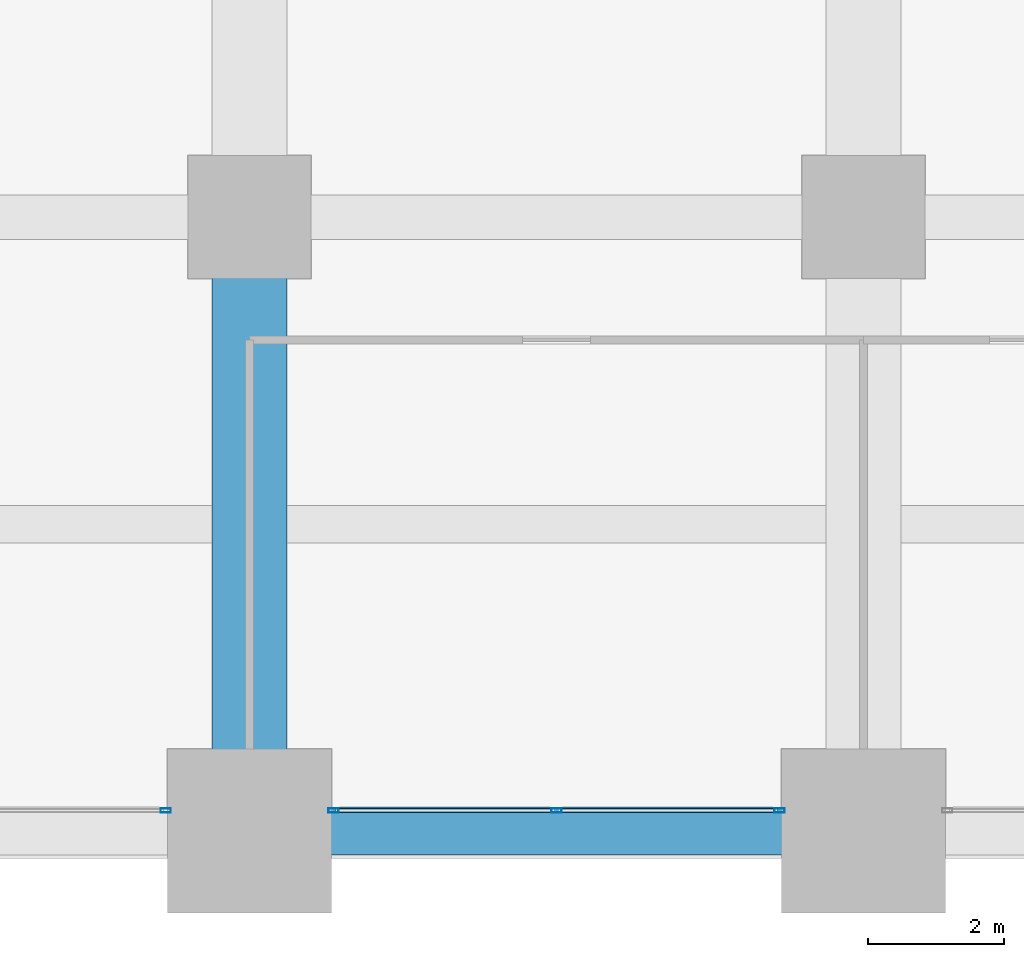
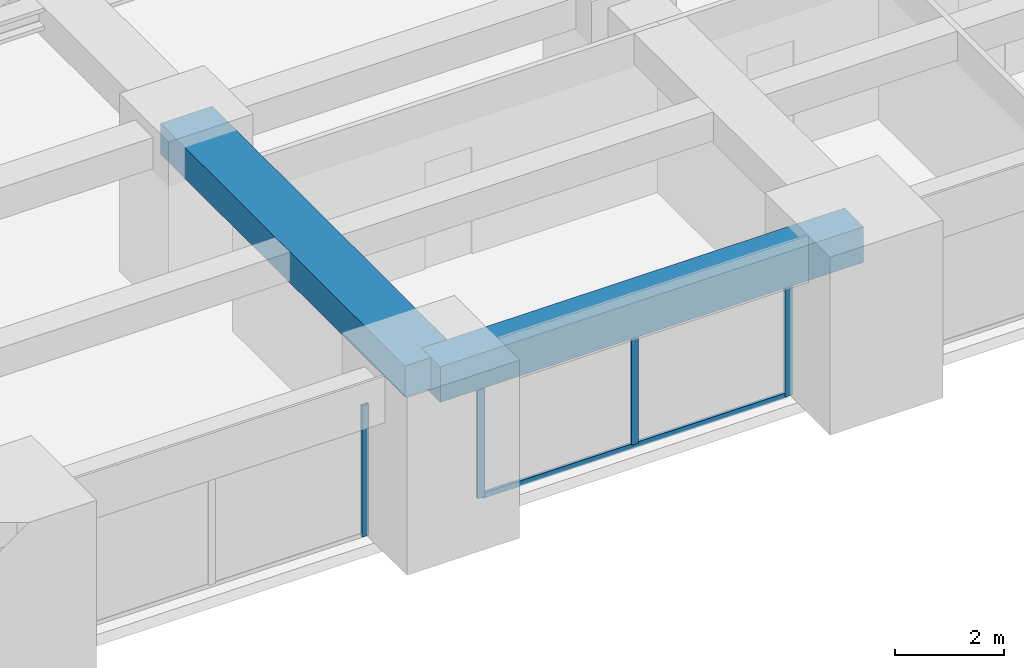
# One storey, part 13 of 41: 5 members, 2 beams, 2 elements without a shape of their own.
"""IFC4 building model written with IfcOpenShell, lengths in metres."""

from ifc_helpers import new_model, si_unit, direction, frame, origin, origin_2d, place, context, subcontext, project, spatial, rectangle, hollow_rectangle, extrude, material, material_profile, profile_set, type_object, element, aggregate, save


model = new_model("IFC4")

# Units and contexts
model_context = context("Model", 3, precision=1e-05, world=origin(), true_north=direction((0.0, 1.0)))
body_context = subcontext(model_context, "Body", "Model", "MODEL_VIEW")
ifc_project = project(units=[si_unit("LENGTHUNIT", "METRE"), si_unit("AREAUNIT", "SQUARE_METRE"), si_unit("VOLUMEUNIT", "CUBIC_METRE"), si_unit("PLANEANGLEUNIT", "RADIAN"), si_unit("MASSUNIT", "GRAM", prefix="KILO")], contexts=[model_context])

# Site, building, storey
site_placement = place(None, origin())
site = spatial("IfcSite", under=ifc_project, at=site_placement, CompositionType="ELEMENT")
building_placement = place(site_placement, origin())
building = spatial("IfcBuilding", under=site, at=building_placement, Name="Zorevar Civic Tower", CompositionType="ELEMENT")
storey_placement = place(building_placement, frame((0.0, 0.0, 137.0)))
storey = spatial("IfcBuildingStorey", under=building, at=storey_placement, Name="L33", CompositionType="ELEMENT", Elevation=137.0)

# Beam
ifc_material_1 = material(Name="Concrete C50/60", Category="concrete")
ifc_material_profile_1 = material_profile(ifc_material_1, rectangle(XDim=1.10009765625, YDim=0.699951171875, at=origin_2d()), Name="RC 1100x700")
ifc_profile_set_1 = profile_set([ifc_material_profile_1], Name="Concrete C50/60")
beam_type_1 = type_object("IfcBeamType", Name="Beam RC 1100x700", PredefinedType="BEAM", material=ifc_profile_set_1)
beam_1_placement = place(storey_placement, frame((36.0, 0.0, 3.39990234375), z_axis=(0.0, 1.0, 0.0), x_axis=(-1.0, 0.0, 0.0)))
element("IfcBeam", 1, at=beam_1_placement, inside=storey, type_object=beam_type_1, Name="Girder L34", PredefinedType="BEAM", context=body_context, shape_type="SweptSolid", body=[
    extrude(rectangle(XDim=1.10009765625, YDim=0.699951171875, at=origin_2d()), origin(), (0.0, 0.0, 1.0), 9.0),
])

# Curtain wall, member
ifc_material_2 = material(Name="Dark grey solar-control glass in black aluminium frame", Category="aluminium")
curtain_wall_type = type_object("IfcCurtainWallType", Name="Curtain wall CW3 mid zone", PredefinedType="NOTDEFINED", material=ifc_material_2)
curtain_wall_1_placement = place(storey_placement, origin())
curtain_wall_1 = element("IfcCurtainWall", 2, at=curtain_wall_1_placement, inside=storey, type_object=curtain_wall_type, Name="CW3 L33", PredefinedType="NOTDEFINED")
ifc_material_3 = material(Name="Aluminium, black anodised", Category="aluminium")
ifc_material_profile_2 = material_profile(ifc_material_3, hollow_rectangle(XDim=0.06005859375, YDim=0.14990234375, WallThickness=0.00390625, at=origin_2d()), Name="AL 150x60x4")
ifc_profile_set_2 = profile_set([ifc_material_profile_2], Name="Aluminium, black anodised")
member_type_1 = type_object("IfcMemberType", Name="CW3 mullion AL 150x60x4", PredefinedType="MULLION", material=ifc_profile_set_2)
member_1_placement = place(storey_placement, frame((34.77001953125, 0.300048828125, 0.0), z_axis=(0.0, 0.0, 1.0), x_axis=(0.0, 1.0, 0.0)))
member_1 = element("IfcMember", 3, at=member_1_placement, type_object=member_type_1, Name="CW3 mullion 3", PredefinedType="MULLION", context=body_context, shape_type="SweptSolid", body=[
    extrude(hollow_rectangle(XDim=0.06005859375, YDim=0.14990234375, WallThickness=0.00390625, at=origin_2d()), origin(), (0.0, 0.0, 1.0), 2.949951171875),
])
aggregate(curtain_wall_1, [member_1])

# Curtain wall, members
curtain_wall_2_placement = place(storey_placement, origin())
curtain_wall_2 = element("IfcCurtainWall", 4, at=curtain_wall_2_placement, inside=storey, type_object=curtain_wall_type, Name="CW3 L33", PredefinedType="NOTDEFINED")
member_2_placement = place(storey_placement, frame((37.22998046875, 0.300048828125, 0.0), z_axis=(0.0, 0.0, 1.0), x_axis=(0.0, 1.0, 0.0)))
member_2 = element("IfcMember", 5, at=member_2_placement, type_object=member_type_1, Name="CW3 mullion 1", PredefinedType="MULLION", context=body_context, shape_type="SweptSolid", body=[
    extrude(hollow_rectangle(XDim=0.06005859375, YDim=0.14990234375, WallThickness=0.00390625, at=origin_2d()), origin(), (0.0, 0.0, 1.0), 2.949951171875),
])
member_3_placement = place(storey_placement, frame((40.5, 0.300048828125, 0.06005859375), z_axis=(0.0, 0.0, 1.0), x_axis=(0.0, 1.0, 0.0)))
member_3 = element("IfcMember", 6, at=member_3_placement, type_object=member_type_1, Name="CW3 mullion 2", PredefinedType="MULLION", context=body_context, shape_type="SweptSolid", body=[
    extrude(hollow_rectangle(XDim=0.06005859375, YDim=0.14990234375, WallThickness=0.00390625, at=origin_2d()), origin(), (0.0, 0.0, 1.0), 2.889892578125),
])
member_4_placement = place(storey_placement, frame((43.77001953125, 0.300048828125, 0.0), z_axis=(0.0, 0.0, 1.0), x_axis=(0.0, 1.0, 0.0)))
member_4 = element("IfcMember", 7, at=member_4_placement, type_object=member_type_1, Name="CW3 mullion 3", PredefinedType="MULLION", context=body_context, shape_type="SweptSolid", body=[
    extrude(hollow_rectangle(XDim=0.06005859375, YDim=0.14990234375, WallThickness=0.00390625, at=origin_2d()), origin(), (0.0, 0.0, 1.0), 2.949951171875),
])
ifc_material_4 = material(Name="Aluminium, black anodised", Category="aluminium")
ifc_material_profile_3 = material_profile(ifc_material_4, hollow_rectangle(XDim=0.06005859375, YDim=0.1201171875, WallThickness=0.0029296875, at=origin_2d()), Name="AL 120x60x3")
ifc_profile_set_3 = profile_set([ifc_material_profile_3], Name="Aluminium, black anodised")
member_type_2 = type_object("IfcMemberType", Name="CW3 transom AL 120x60x3", PredefinedType="USERDEFINED", material=ifc_profile_set_3)
member_5_placement = place(storey_placement, frame((37.260009765625, 0.300048828125, 0.030029296875), z_axis=(1.0, 0.0, 0.0), x_axis=(0.0, 1.0, 0.0)))
member_5 = element("IfcMember", 8, at=member_5_placement, type_object=member_type_2, Name="CW3 sill transom", ObjectType="TRANSOM", PredefinedType="USERDEFINED", context=body_context, shape_type="SweptSolid", body=[
    extrude(hollow_rectangle(XDim=0.06005859375, YDim=0.1201171875, WallThickness=0.0029296875, at=origin_2d()), origin(), (0.0, 0.0, 1.0), 6.47998046875),
])
aggregate(curtain_wall_2, [member_2, member_3, member_4, member_5])

# Beam
ifc_material_5 = material(Name="Concrete C50/60", Category="concrete")
ifc_material_profile_4 = material_profile(ifc_material_5, rectangle(XDim=0.699951171875, YDim=0.800048828125, at=origin_2d()), Name="RC 700x800")
ifc_profile_set_4 = profile_set([ifc_material_profile_4], Name="Concrete C50/60")
beam_type_2 = type_object("IfcBeamType", Name="Edge beam RC 700x800", PredefinedType="SPANDREL", material=ifc_profile_set_4)
beam_2_placement = place(storey_placement, frame((36.0, 0.0, 3.35009765625), z_axis=(1.0, 0.0, 0.0), x_axis=(0.0, 1.0, 0.0)))
element("IfcBeam", 9, at=beam_2_placement, inside=storey, type_object=beam_type_2, Name="Edge beam L34", PredefinedType="SPANDREL", context=body_context, shape_type="SweptSolid", body=[
    extrude(rectangle(XDim=0.699951171875, YDim=0.800048828125, at=origin_2d()), origin(), (0.0, 0.0, 1.0), 9.0),
])

save(model, "model.ifc")
